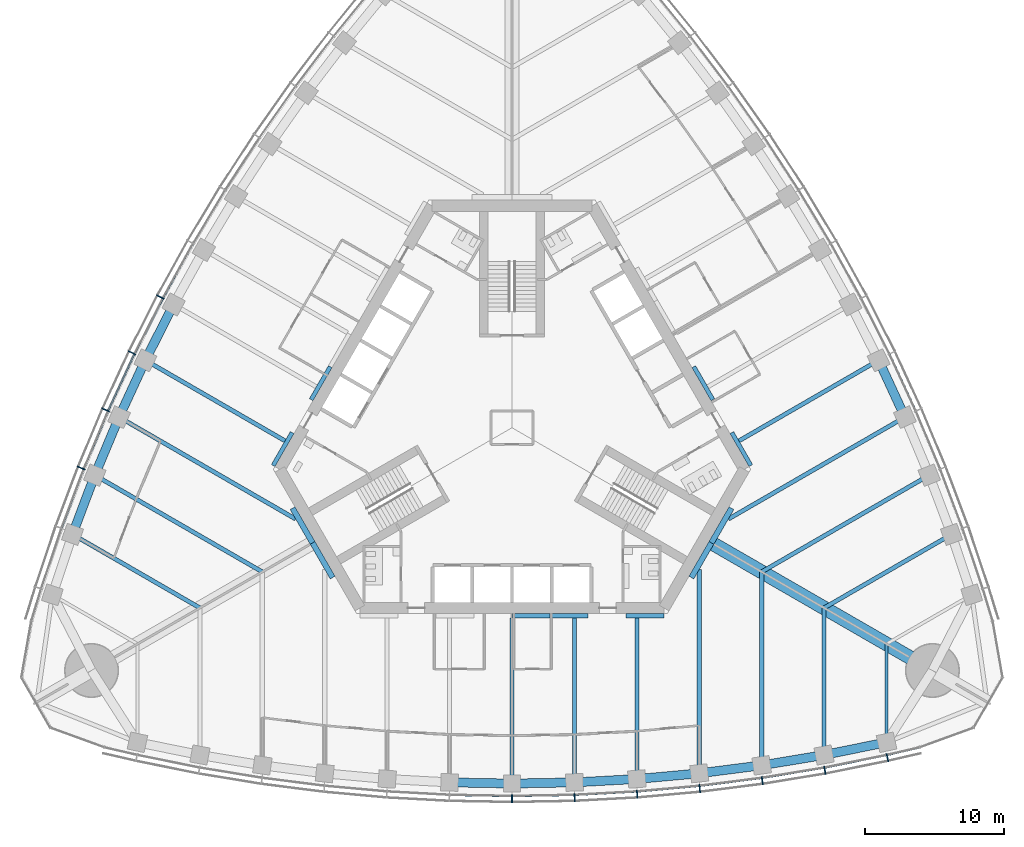
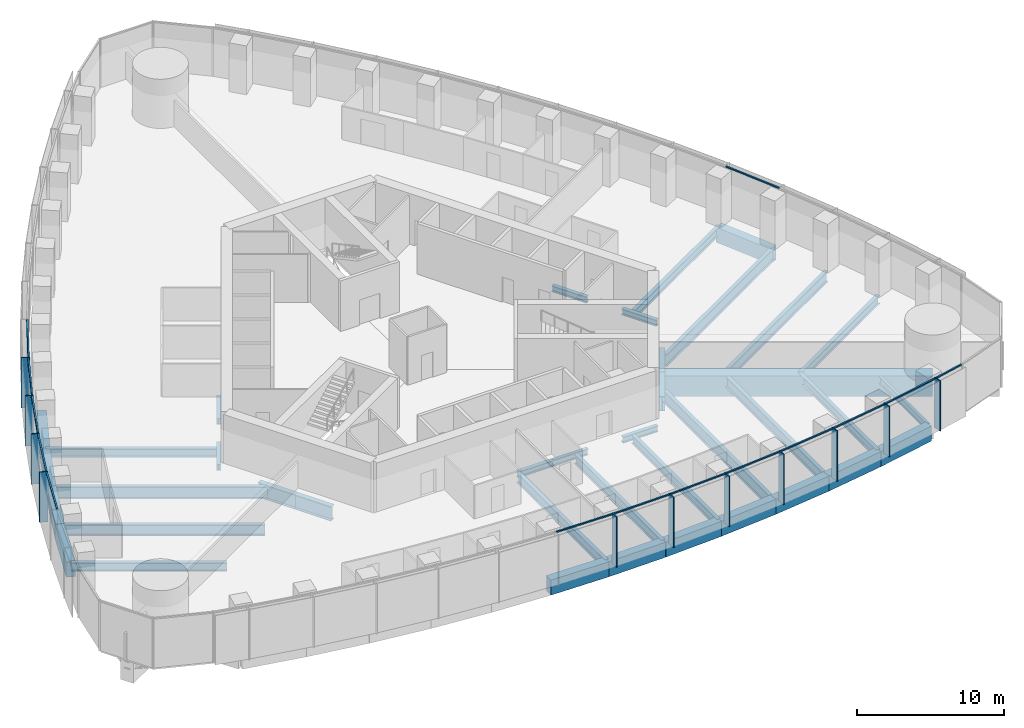
# One storey, part 3 of 19: 39 beams, 25 members, 3 elements without a shape of their own.
"""IFC4 building model written with IfcOpenShell, lengths in metres."""

from ifc_helpers import new_model, si_unit, direction, frame, origin, origin_2d, place, context, subcontext, project, spatial, rectangle, i_section, extrude, material, material_profile, profile_set, type_object, element, aggregate, save


model = new_model("IFC4")

# Units and contexts
model_context = context("Model", 3, precision=1e-05, world=origin(), true_north=direction((0.0, 1.0)))
body_context = subcontext(model_context, "Body", "Model", "MODEL_VIEW")
ifc_project = project(units=[si_unit("LENGTHUNIT", "METRE"), si_unit("AREAUNIT", "SQUARE_METRE"), si_unit("VOLUMEUNIT", "CUBIC_METRE"), si_unit("PLANEANGLEUNIT", "RADIAN"), si_unit("MASSUNIT", "GRAM", prefix="KILO")], contexts=[model_context])

# Site, building, storey
site_placement = place(None, origin())
site = spatial("IfcSite", under=ifc_project, at=site_placement, CompositionType="ELEMENT")
building_placement = place(site_placement, origin())
building = spatial("IfcBuilding", under=site, at=building_placement, Name="Trefoil Bronze Tower", CompositionType="ELEMENT")
storey_placement = place(building_placement, frame((0.0, 0.0, 140.89990234375)))
storey = spatial("IfcBuildingStorey", under=building, at=storey_placement, Name="L32", CompositionType="ELEMENT", Elevation=140.89990234375)

# Curtain wall, members
ifc_material_1 = material(Name="Tinted solar-control glass", Category="glass")
curtain_wall_type = type_object("IfcCurtainWallType", Name="Bronze office curtain wall", PredefinedType="USERDEFINED", material=ifc_material_1)
curtain_wall_1_placement = place(storey_placement, origin())
curtain_wall_1 = element("IfcCurtainWall", 1, at=curtain_wall_1_placement, inside=storey, type_object=curtain_wall_type, Name="CW-A L32 F1", ObjectType="CURTAIN WALL", PredefinedType="USERDEFINED")
ifc_material_2 = material(Name="Bronze-finish aluminium", Category="aluminium")
ifc_material_profile_1 = material_profile(ifc_material_2, rectangle(XDim=0.60009765625, YDim=0.080078125, at=origin_2d()), Name="CW-A mullion")
ifc_profile_set_1 = profile_set([ifc_material_profile_1], Name="Bronze-finish aluminium")
member_type_1 = type_object("IfcMemberType", Name="Bronze office curtain wall mullion", PredefinedType="MULLION", material=ifc_profile_set_1)
member_1_placement = place(storey_placement, frame((0.0, -26.749755859375, 0.0), z_axis=(0.0, 0.0, 1.0), x_axis=(0.0, 1.0, 0.0)))
member_1 = element("IfcMember", 2, at=member_1_placement, type_object=member_type_1, Name="CW-A L32 F1 mullion 8", PredefinedType="MULLION", context=body_context, shape_type="SweptSolid", body=[
    extrude(rectangle(XDim=0.60009765625, YDim=0.080078125, at=origin_2d()), origin(), (0.0, 0.0, 1.0), 4.18017578125),
])
member_2_placement = place(storey_placement, frame((4.5107421875, -26.66845703125, 0.0), z_axis=(0.0, 0.0, 1.0), x_axis=(-0.036047792107, 0.999350067136, 0.0)))
member_2 = element("IfcMember", 3, at=member_2_placement, type_object=member_type_1, Name="CW-A L32 F1 mullion 9", PredefinedType="MULLION", context=body_context, shape_type="SweptSolid", body=[
    extrude(rectangle(XDim=0.60009765625, YDim=0.080078125, at=origin_2d()), origin(), (0.0, 0.0, 1.0), 4.18017578125),
])
member_3_placement = place(storey_placement, frame((9.021728515625, -26.424072265625, 0.0), z_axis=(0.0, 0.0, 1.0), x_axis=(-0.072095676284, 0.997397720802, 0.0)))
member_3 = element("IfcMember", 4, at=member_3_placement, type_object=member_type_1, Name="CW-A L32 F1 mullion 10", PredefinedType="MULLION", context=body_context, shape_type="SweptSolid", body=[
    extrude(rectangle(XDim=0.60009765625, YDim=0.080078125, at=origin_2d()), origin(), (0.0, 0.0, 1.0), 4.18017578125),
])
member_4_placement = place(storey_placement, frame((13.532470703125, -26.01611328125, 0.0), z_axis=(0.0, 0.0, 1.0), x_axis=(-0.108143747013, 0.994135267447, 0.0)))
member_4 = element("IfcMember", 5, at=member_4_placement, type_object=member_type_1, Name="CW-A L32 F1 mullion 11", PredefinedType="MULLION", context=body_context, shape_type="SweptSolid", body=[
    extrude(rectangle(XDim=0.60009765625, YDim=0.080078125, at=origin_2d()), origin(), (0.0, 0.0, 1.0), 4.18017578125),
])
member_5_placement = place(storey_placement, frame((18.043212890625, -25.4423828125, 0.0), z_axis=(0.0, 0.0, 1.0), x_axis=(-0.144192103798, 0.989549714366, 0.0)))
member_5 = element("IfcMember", 6, at=member_5_placement, type_object=member_type_1, Name="CW-A L32 F1 mullion 12", PredefinedType="MULLION", context=body_context, shape_type="SweptSolid", body=[
    extrude(rectangle(XDim=0.60009765625, YDim=0.080078125, at=origin_2d()), origin(), (0.0, 0.0, 1.0), 4.18017578125),
])
member_6_placement = place(storey_placement, frame((22.553955078125, -24.700927734375, 0.0), z_axis=(0.0, 0.0, 1.0), x_axis=(-0.180240853954, 0.98362250613, 0.0)))
member_6 = element("IfcMember", 7, at=member_6_placement, type_object=member_type_1, Name="CW-A L32 F1 mullion 13", PredefinedType="MULLION", context=body_context, shape_type="SweptSolid", body=[
    extrude(rectangle(XDim=0.60009765625, YDim=0.080078125, at=origin_2d()), origin(), (0.0, 0.0, 1.0), 4.18017578125),
])
member_7_placement = place(storey_placement, frame((27.0634765625, -23.7890625, 0.0), z_axis=(0.0, 0.0, 1.0), x_axis=(-0.21197042503, 0.977276081214, 0.0)))
member_7 = element("IfcMember", 8, at=member_7_placement, type_object=member_type_1, Name="CW-A L32 F1 mullion 14", PredefinedType="MULLION", context=body_context, shape_type="SweptSolid", body=[
    extrude(rectangle(XDim=0.60009765625, YDim=0.080078125, at=origin_2d()), origin(), (0.0, 0.0, 1.0), 4.18017578125),
])

curtain_wall_2_placement = place(storey_placement, origin())
curtain_wall_2 = element("IfcCurtainWall", 9, at=curtain_wall_2_placement, inside=storey, type_object=curtain_wall_type, Name="CW-A L32 F3", ObjectType="CURTAIN WALL", PredefinedType="USERDEFINED")
member_8_placement = place(storey_placement, frame((-25.350830078125, 9.427734375, 0.0), z_axis=(0.0, 0.0, 1.0), x_axis=(0.883486441467, -0.468456729853, 0.0)))
member_8 = element("IfcMember", 10, at=member_8_placement, type_object=member_type_1, Name="CW-A L32 F3 mullion 9", PredefinedType="MULLION", context=body_context, shape_type="SweptSolid", body=[
    extrude(rectangle(XDim=0.60009765625, YDim=0.080078125, at=origin_2d()), origin(), (0.0, 0.0, 1.0), 4.18017578125),
])
member_9_placement = place(storey_placement, frame((-27.394775390625, 5.399169921875, 0.0), z_axis=(0.0, 0.0, 1.0), x_axis=(0.899819602033, -0.436262173236, 0.0)))
member_9 = element("IfcMember", 11, at=member_9_placement, type_object=member_type_1, Name="CW-A L32 F3 mullion 10", PredefinedType="MULLION", context=body_context, shape_type="SweptSolid", body=[
    extrude(rectangle(XDim=0.60009765625, YDim=0.080078125, at=origin_2d()), origin(), (0.0, 0.0, 1.0), 4.18017578125),
])
member_10_placement = place(storey_placement, frame((-29.296875, 1.28857421875, 0.0), z_axis=(0.0, 0.0, 1.0), x_axis=(0.915018269914, -0.40341240155, 0.0)))
member_10 = element("IfcMember", 12, at=member_10_placement, type_object=member_type_1, Name="CW-A L32 F3 mullion 11", PredefinedType="MULLION", context=body_context, shape_type="SweptSolid", body=[
    extrude(rectangle(XDim=0.60009765625, YDim=0.080078125, at=origin_2d()), origin(), (0.0, 0.0, 1.0), 4.18017578125),
])
member_11_placement = place(storey_placement, frame((-31.055419921875, -2.90478515625, 0.0), z_axis=(0.0, 0.0, 1.0), x_axis=(0.929071242848, -0.369900832269, 0.0)))
member_11 = element("IfcMember", 13, at=member_11_placement, type_object=member_type_1, Name="CW-A L32 F3 mullion 12", PredefinedType="MULLION", context=body_context, shape_type="SweptSolid", body=[
    extrude(rectangle(XDim=0.60009765625, YDim=0.080078125, at=origin_2d()), origin(), (0.0, 0.0, 1.0), 4.18017578125),
])

# Member
ifc_material_3 = material(Name="Bronze-finish aluminium", Category="aluminium")
ifc_material_profile_2 = material_profile(ifc_material_3, rectangle(XDim=0.1201171875, YDim=0.10009765625, at=origin_2d()), Name="CW-A transom")
ifc_profile_set_2 = profile_set([ifc_material_profile_2], Name="Bronze-finish aluminium")
member_type_2 = type_object("IfcMemberType", Name="Bronze office curtain wall transom", PredefinedType="USERDEFINED", material=ifc_profile_set_2)
member_12_placement = place(storey_placement, frame((-4.4619140625, -26.46923828125, 4.130126953125), z_axis=(0.999837930028, -0.018003157426, 0.0), x_axis=(0.018003157426, 0.999837930028, 0.0)))
member_12 = element("IfcMember", 14, at=member_12_placement, type_object=member_type_2, Name="CW-A L32 F1 transom 7", ObjectType="TRANSOM", PredefinedType="USERDEFINED", context=body_context, shape_type="SweptSolid", body=[
    extrude(rectangle(XDim=0.1201171875, YDim=0.10009765625, at=origin_2d()), origin(), (0.0, 0.0, 1.0), 4.4208984375),
])

member_13_placement = place(storey_placement, frame((0.041748046875, -26.548828125, 4.130126953125), z_axis=(0.999837930028, 0.018003157426, 0.0), x_axis=(-0.018003157426, 0.999837930028, 0.0)))
member_13 = element("IfcMember", 15, at=member_13_placement, type_object=member_type_2, Name="CW-A L32 F1 transom 8", ObjectType="TRANSOM", PredefinedType="USERDEFINED", context=body_context, shape_type="SweptSolid", body=[
    extrude(rectangle(XDim=0.1201171875, YDim=0.10009765625, at=origin_2d()), origin(), (0.0, 0.0, 1.0), 4.4208984375),
])

member_14_placement = place(storey_placement, frame((4.54541015625, -26.46630859375, 4.130126953125), z_axis=(0.998538253569, 0.054049571306, 0.0), x_axis=(-0.054049571306, 0.998538253569, 0.0)))
member_14 = element("IfcMember", 16, at=member_14_placement, type_object=member_type_2, Name="CW-A L32 F1 transom 9", ObjectType="TRANSOM", PredefinedType="USERDEFINED", context=body_context, shape_type="SweptSolid", body=[
    extrude(rectangle(XDim=0.1201171875, YDim=0.10009765625, at=origin_2d()), origin(), (0.0, 0.0, 1.0), 4.4267578125),
])

member_15_placement = place(storey_placement, frame((9.048828125, -26.220947265625, 4.130126953125), z_axis=(0.995932787062, 0.090099298863, 0.0), x_axis=(-0.090099298863, 0.995932787062, 0.0)))
member_15 = element("IfcMember", 17, at=member_15_placement, type_object=member_type_2, Name="CW-A L32 F1 transom 10", ObjectType="TRANSOM", PredefinedType="USERDEFINED", context=body_context, shape_type="SweptSolid", body=[
    extrude(rectangle(XDim=0.1201171875, YDim=0.10009765625, at=origin_2d()), origin(), (0.0, 0.0, 1.0), 4.4384765625),
])

member_16_placement = place(storey_placement, frame((13.55224609375, -25.81201171875, 4.130126953125), z_axis=(0.992008387848, 0.12617193998, 0.0), x_axis=(-0.12617193998, 0.992008387848, 0.0)))
member_16 = element("IfcMember", 18, at=member_16_placement, type_object=member_type_2, Name="CW-A L32 F1 transom 11", ObjectType="TRANSOM", PredefinedType="USERDEFINED", context=body_context, shape_type="SweptSolid", body=[
    extrude(rectangle(XDim=0.1201171875, YDim=0.10009765625, at=origin_2d()), origin(), (0.0, 0.0, 1.0), 4.456298828125),
])

member_17_placement = place(storey_placement, frame((18.0556640625, -25.23779296875, 4.130126953125), z_axis=(0.986755265284, 0.162216048636, 0.0), x_axis=(-0.162216048636, 0.986755265284, 0.0)))
member_17 = element("IfcMember", 19, at=member_17_placement, type_object=member_type_2, Name="CW-A L32 F1 transom 12", ObjectType="TRANSOM", PredefinedType="USERDEFINED", context=body_context, shape_type="SweptSolid", body=[
    extrude(rectangle(XDim=0.1201171875, YDim=0.10009765625, at=origin_2d()), origin(), (0.0, 0.0, 1.0), 4.48046875),
])

member_18_placement = place(storey_placement, frame((22.55908203125, -24.49609375, 4.130126953125), z_axis=(0.980153749225, 0.198238815273, 0.0), x_axis=(-0.198238815273, 0.980153749225, 0.0)))
member_18 = element("IfcMember", 20, at=member_18_placement, type_object=member_type_2, Name="CW-A L32 F1 transom 13", ObjectType="TRANSOM", PredefinedType="USERDEFINED", context=body_context, shape_type="SweptSolid", body=[
    extrude(rectangle(XDim=0.1201171875, YDim=0.10009765625, at=origin_2d()), origin(), (0.0, 0.0, 1.0), 4.51123046875),
])

member_19_placement = place(storey_placement, frame((27.0615234375, -23.584228515625, 4.130126953125), z_axis=(0.974206243495, 0.225659467196, 0.0), x_axis=(-0.225659467196, 0.974206243495, 0.0)))
member_19 = element("IfcMember", 21, at=member_19_placement, type_object=member_type_2, Name="CW-A L32 F1 transom 14", ObjectType="TRANSOM", PredefinedType="USERDEFINED", context=body_context, shape_type="SweptSolid", body=[
    extrude(rectangle(XDim=0.1201171875, YDim=0.10009765625, at=origin_2d()), origin(), (0.0, 0.0, 1.0), 2.340087890625),
])

aggregate(curtain_wall_1, [member_1, member_2, member_3, member_4, member_5, member_6, member_7, member_12, member_13, member_14, member_15, member_16, member_17, member_18, member_19])

# Curtain wall, member
curtain_wall_3_placement = place(storey_placement, origin())
curtain_wall_3 = element("IfcCurtainWall", 22, at=curtain_wall_3_placement, inside=storey, type_object=curtain_wall_type, Name="CW-A L32 F2", ObjectType="CURTAIN WALL", PredefinedType="USERDEFINED")
member_20_placement = place(storey_placement, frame((29.09619140625, 1.245849609375, 4.130126953125), z_axis=(-0.419923072198, 0.907559702409, 0.0), x_axis=(-0.907559702409, -0.419923072198, 0.0)))
member_20 = element("IfcMember", 23, at=member_20_placement, type_object=member_type_2, Name="CW-A L32 F2 transom 5", ObjectType="TRANSOM", PredefinedType="USERDEFINED", context=body_context, shape_type="SweptSolid", body=[
    extrude(rectangle(XDim=0.1201171875, YDim=0.10009765625, at=origin_2d()), origin(), (0.0, 0.0, 1.0), 4.4384765625),
])
aggregate(curtain_wall_3, [member_20])

# Member
member_21_placement = place(storey_placement, frame((-23.012939453125, 13.23828125, 4.130126953125), z_axis=(-0.484329470343, -0.874885686337, 0.0), x_axis=(0.874885686337, -0.484329470343, 0.0)))
member_21 = element("IfcMember", 24, at=member_21_placement, type_object=member_type_2, Name="CW-A L32 F3 transom 8", ObjectType="TRANSOM", PredefinedType="USERDEFINED", context=body_context, shape_type="SweptSolid", body=[
    extrude(rectangle(XDim=0.1201171875, YDim=0.10009765625, at=origin_2d()), origin(), (0.0, 0.0, 1.0), 4.4208984375),
])

member_22_placement = place(storey_placement, frame((-25.193115234375, 9.296630859375, 4.130126953125), z_axis=(-0.452478489814, -0.891775317138, 0.0), x_axis=(0.891775317138, -0.452478489814, 0.0)))
member_22 = element("IfcMember", 25, at=member_22_placement, type_object=member_type_2, Name="CW-A L32 F3 transom 9", ObjectType="TRANSOM", PredefinedType="USERDEFINED", context=body_context, shape_type="SweptSolid", body=[
    extrude(rectangle(XDim=0.1201171875, YDim=0.10009765625, at=origin_2d()), origin(), (0.0, 0.0, 1.0), 4.426513671875),
])

member_23_placement = place(storey_placement, frame((-27.232421875, 5.27392578125, 4.130126953125), z_axis=(-0.419923072198, -0.907559702409, 0.0), x_axis=(0.907559702409, -0.419923072198, 0.0)))
member_23 = element("IfcMember", 26, at=member_23_placement, type_object=member_type_2, Name="CW-A L32 F3 transom 10", ObjectType="TRANSOM", PredefinedType="USERDEFINED", context=body_context, shape_type="SweptSolid", body=[
    extrude(rectangle(XDim=0.1201171875, YDim=0.10009765625, at=origin_2d()), origin(), (0.0, 0.0, 1.0), 4.4384765625),
])

member_24_placement = place(storey_placement, frame((-29.1298828125, 1.16943359375, 4.130126953125), z_axis=(-0.386773266184, -0.922174842731, 0.0), x_axis=(0.922174842731, -0.386773266184, 0.0)))
member_24 = element("IfcMember", 27, at=member_24_placement, type_object=member_type_2, Name="CW-A L32 F3 transom 11", ObjectType="TRANSOM", PredefinedType="USERDEFINED", context=body_context, shape_type="SweptSolid", body=[
    extrude(rectangle(XDim=0.1201171875, YDim=0.10009765625, at=origin_2d()), origin(), (0.0, 0.0, 1.0), 4.45654296875),
])

member_25_placement = place(storey_placement, frame((-30.88427734375, -3.017822265625, 4.130126953125), z_axis=(-0.352932154759, -0.935648916067, 0.0), x_axis=(0.935648916067, -0.352932154759, 0.0)))
member_25 = element("IfcMember", 28, at=member_25_placement, type_object=member_type_2, Name="CW-A L32 F3 transom 12", ObjectType="TRANSOM", PredefinedType="USERDEFINED", context=body_context, shape_type="SweptSolid", body=[
    extrude(rectangle(XDim=0.1201171875, YDim=0.10009765625, at=origin_2d()), origin(), (0.0, 0.0, 1.0), 4.48046875),
])

aggregate(curtain_wall_2, [member_8, member_9, member_10, member_11, member_21, member_22, member_23, member_24, member_25])

# Beams
ifc_material_4 = material(Name="Steel C355", Category="steel")
ifc_material_profile_3 = material_profile(ifc_material_4, i_section(OverallWidth=0.300048828125, OverallDepth=0.5, WebThickness=0.014404296875, FlangeThickness=0.028076171875, FilletRadius=0.027099609375, at=origin_2d()), Name="HEB 500")
ifc_profile_set_3 = profile_set([ifc_material_profile_3], Name="Steel C355")
beam_type_1 = type_object("IfcBeamType", Name="Core seat beam HEB 500", PredefinedType="BEAM", material=ifc_profile_set_3)
for number, where, z_axis, x_axis, name in (
    (29, (0.0, -13.550048828125, -0.449951171875), (1.0, 0.0, 0.0), (0.0, 1.0, 0.0), "Core seat beam F1/+0 L32"),
    (30, (2.742431640625, -13.550048828125, -0.449951171875), (1.0, 0.0, 0.0), (0.0, 1.0, 0.0), "Core seat beam F1/+1 L32"),
    (31, (8.227294921875, -13.550048828125, -0.449951171875), (1.0, 0.0, 0.0), (0.0, 1.0, 0.0), "Core seat beam F1/+2 L32"),
    (32, (17.219482421875, -2.72509765625, -0.449951171875), (-0.500035825175, 0.866004719122, 0.0), (-0.866004719122, -0.500035825175, 0.0), "Core seat beam F2/-2 L32"),
    (33, (14.47705078125, 2.02490234375, -0.449951171875), (-0.499969057507, 0.866043267704, 0.0), (-0.866043267704, -0.499969057507, 0.0), "Core seat beam F2/-1 L32"),
    (34, (-13.10595703125, 4.39990234375, -0.449951171875), (-0.499969057507, -0.866043267704, 0.0), (0.866043267704, -0.499969057507, 0.0), "Core seat beam F3/+1 L32"),
    (35, (-15.84814453125, -0.35009765625, -0.449951171875), (-0.500035825175, -0.866004719122, 0.0), (0.866004719122, -0.500035825175, 0.0), "Core seat beam F3/+2 L32"),
):
    element("IfcBeam", number, at=place(storey_placement, frame(where, z_axis=z_axis, x_axis=x_axis)), inside=storey, type_object=beam_type_1, Name=name, PredefinedType="BEAM", context=body_context, shape_type="SweptSolid", body=[
        extrude(i_section(OverallWidth=0.300048828125, OverallDepth=0.5, WebThickness=0.014404296875, FlangeThickness=0.028076171875, FilletRadius=0.027099609375, at=origin_2d()), origin(), (0.0, 0.0, 1.0), 2.742431640625),
    ])
ifc_material_5 = material(Name="Steel C355", Category="steel")
ifc_material_profile_4 = material_profile(ifc_material_5, i_section(OverallWidth=0.39990234375, OverallDepth=1.199951171875, WebThickness=0.02001953125, FlangeThickness=0.0400390625, FilletRadius=0.010009765625, at=origin_2d()), Name="WPG 1200")
ifc_profile_set_4 = profile_set([ifc_material_profile_4], Name="Steel C355")
beam_type_2 = type_object("IfcBeamType", Name="Core seat beam WPG 1200", PredefinedType="BEAM", material=ifc_profile_set_4)
for number, where, z_axis, x_axis, name in (
    (36, (-14.3759765625, -8.300048828125, -0.7998046875), (0.499995765644, -0.866027848477, 0.0), (0.866027848477, 0.499995765644, 0.0), "Core seat beam F1/-3 L32"),
    (37, (12.9326171875, -10.800048828125, -0.7998046875), (0.499995765644, 0.866027848477, 0.0), (-0.866027848477, 0.499995765644, 0.0), "Core seat beam F1/+3 L32"),
    (38, (14.3759765625, -8.300048828125, -0.7998046875), (0.499995765644, 0.866027848477, 0.0), (-0.866027848477, 0.499995765644, 0.0), "Core seat beam F2/-3 L32"),
    (39, (-15.8193359375, -5.800048828125, -0.7998046875), (0.499995765644, -0.866027848477, 0.0), (0.866027848477, 0.499995765644, 0.0), "Core seat beam F3/+3 L32"),
):
    element("IfcBeam", number, at=place(storey_placement, frame(where, z_axis=z_axis, x_axis=x_axis)), inside=storey, type_object=beam_type_2, Name=name, PredefinedType="BEAM", context=body_context, shape_type="SweptSolid", body=[
        extrude(i_section(OverallWidth=0.39990234375, OverallDepth=1.199951171875, WebThickness=0.02001953125, FlangeThickness=0.0400390625, FilletRadius=0.010009765625, at=origin_2d()), origin(), (0.0, 0.0, 1.0), 2.88671875),
    ])
ifc_material_6 = material(Name="Concrete B80", Category="concrete")
ifc_material_profile_5 = material_profile(ifc_material_6, rectangle(XDim=1.0, YDim=1.699951171875, at=origin_2d()), Name="RC 1000x1700")
ifc_profile_set_5 = profile_set([ifc_material_profile_5], Name="Concrete B80")
beam_type_3 = type_object("IfcBeamType", Name="Corner girder RC 1000x1700", PredefinedType="BEAM", material=ifc_profile_set_5)
beam_1_placement = place(storey_placement, frame((14.202880859375, -8.199951171875, -1.0498046875), z_axis=(0.866022084834, -0.500005748546, 0.0), x_axis=(0.500005748546, 0.866022084834, 0.0)))
element("IfcBeam", 40, at=beam_1_placement, inside=storey, type_object=beam_type_3, Name="Corner girder K1 L32", PredefinedType="BEAM", context=body_context, shape_type="SweptSolid", body=[
    extrude(rectangle(XDim=1.0, YDim=1.699951171875, at=origin_2d()), origin(), (0.0, 0.0, 1.0), 18.599853515625),
])
ifc_material_7 = material(Name="Steel C355", Category="steel")
ifc_material_profile_6 = material_profile(ifc_material_7, i_section(OverallWidth=0.300048828125, OverallDepth=1.0, WebThickness=0.01904296875, FlangeThickness=0.035888671875, FilletRadius=0.030029296875, at=origin_2d()), Name="HEB 1000")
ifc_profile_set_6 = profile_set([ifc_material_profile_6], Name="Steel C355")
beam_type_4 = type_object("IfcBeamType", Name="Floor beam HEB 1000", PredefinedType="BEAM", material=ifc_profile_set_6)
for number, where, z_axis, x_axis, name in (
    (41, (13.5, -24.9130859375, -0.699951171875), (0.0, 1.0, 0.0), (-1.0, 0.0, 0.0), "Floor beam F1/+3 L32"),
    (42, (28.325439453125, 0.76513671875, -0.699951171875), (-0.866027342682, -0.499996641717, 0.0), (0.499996641717, -0.866027342682, 0.0), "Floor beam F2/-3 L32"),
    (43, (-28.325439453125, 0.76513671875, -0.699951171875), (0.866027342682, -0.499996641717, 0.0), (0.499996641717, 0.866027342682, 0.0), "Floor beam F3/+3 L32"),
):
    element("IfcBeam", number, at=place(storey_placement, frame(where, z_axis=z_axis, x_axis=x_axis)), inside=storey, type_object=beam_type_4, Name=name, PredefinedType="BEAM", context=body_context, shape_type="SweptSolid", body=[
        extrude(i_section(OverallWidth=0.300048828125, OverallDepth=1.0, WebThickness=0.01904296875, FlangeThickness=0.035888671875, FilletRadius=0.030029296875, at=origin_2d()), origin(), (0.0, 0.0, 1.0), 14.69580078125),
    ])
ifc_material_8 = material(Name="Steel C355", Category="steel")
ifc_material_profile_7 = material_profile(ifc_material_8, i_section(OverallWidth=0.300048828125, OverallDepth=0.699951171875, WebThickness=0.01708984375, FlangeThickness=0.031982421875, FilletRadius=0.027099609375, at=origin_2d()), Name="HEB 700")
ifc_profile_set_7 = profile_set([ifc_material_profile_7], Name="Steel C355")
beam_type_5 = type_object("IfcBeamType", Name="Floor beam HEB 700", PredefinedType="BEAM", material=ifc_profile_set_7)
beam_2_placement = place(storey_placement, frame((9.0, -25.32275390625, -0.5498046875), z_axis=(0.0, 1.0, 0.0), x_axis=(-1.0, 0.0, 0.0)))
element("IfcBeam", 44, at=beam_2_placement, inside=storey, type_object=beam_type_5, Name="Floor beam F1/+2 L32", PredefinedType="BEAM", context=body_context, shape_type="SweptSolid", body=[
    extrude(i_section(OverallWidth=0.300048828125, OverallDepth=0.699951171875, WebThickness=0.01708984375, FlangeThickness=0.031982421875, FilletRadius=0.027099609375, at=origin_2d()), origin(), (0.0, 0.0, 1.0), 11.622802734375),
])
beam_3_placement = place(storey_placement, frame((22.5, -23.592529296875, -0.5498046875), z_axis=(0.0, 1.0, 0.0), x_axis=(-1.0, 0.0, 0.0)))
element("IfcBeam", 45, at=beam_3_placement, inside=storey, type_object=beam_type_5, Name="Floor beam F1/+5 L32", PredefinedType="BEAM", context=body_context, shape_type="SweptSolid", body=[
    extrude(i_section(OverallWidth=0.300048828125, OverallDepth=0.699951171875, WebThickness=0.01708984375, FlangeThickness=0.031982421875, FilletRadius=0.027099609375, at=origin_2d()), origin(), (0.0, 0.0, 1.0), 10.60205078125),
])
beam_4_placement = place(storey_placement, frame((31.681884765625, -7.689208984375, -0.5498046875), z_axis=(-0.866021079084, -0.500007490527, 0.0), x_axis=(0.500007490527, -0.866021079084, 0.0)))
element("IfcBeam", 46, at=beam_4_placement, inside=storey, type_object=beam_type_5, Name="Floor beam F2/-5 L32", PredefinedType="BEAM", context=body_context, shape_type="SweptSolid", body=[
    extrude(i_section(OverallWidth=0.300048828125, OverallDepth=0.699951171875, WebThickness=0.01708984375, FlangeThickness=0.031982421875, FilletRadius=0.027099609375, at=origin_2d()), origin(), (0.0, 0.0, 1.0), 10.602294921875),
])
for number, where, z_axis, x_axis, name in (
    (47, (26.43017578125, 4.8671875, -0.5498046875), (-0.866021531335, -0.500006707218, 0.0), (0.500006707218, -0.866021531335, 0.0), "Floor beam F2/-2 L32"),
    (48, (-26.43017578125, 4.8671875, -0.5498046875), (0.866021531335, -0.500006707218, 0.0), (0.500006707218, 0.866021531335, 0.0), "Floor beam F3/+2 L32"),
):
    element("IfcBeam", number, at=place(storey_placement, frame(where, z_axis=z_axis, x_axis=x_axis)), inside=storey, type_object=beam_type_5, Name=name, PredefinedType="BEAM", context=body_context, shape_type="SweptSolid", body=[
        extrude(i_section(OverallWidth=0.300048828125, OverallDepth=0.699951171875, WebThickness=0.01708984375, FlangeThickness=0.031982421875, FilletRadius=0.027099609375, at=origin_2d()), origin(), (0.0, 0.0, 1.0), 11.622802734375),
    ])
beam_5_placement = place(storey_placement, frame((-31.681884765625, -7.689208984375, -0.5498046875), z_axis=(0.866021079084, -0.500007490527, 0.0), x_axis=(0.500007490527, 0.866021079084, 0.0)))
element("IfcBeam", 49, at=beam_5_placement, inside=storey, type_object=beam_type_5, Name="Floor beam F3/+5 L32", PredefinedType="BEAM", context=body_context, shape_type="SweptSolid", body=[
    extrude(i_section(OverallWidth=0.300048828125, OverallDepth=0.699951171875, WebThickness=0.01708984375, FlangeThickness=0.031982421875, FilletRadius=0.027099609375, at=origin_2d()), origin(), (0.0, 0.0, 1.0), 10.602294921875),
])
ifc_material_9 = material(Name="Steel C355", Category="steel")
ifc_material_profile_8 = material_profile(ifc_material_9, i_section(OverallWidth=0.300048828125, OverallDepth=0.800048828125, WebThickness=0.017578125, FlangeThickness=0.032958984375, FilletRadius=0.030029296875, at=origin_2d()), Name="HEB 800")
ifc_profile_set_8 = profile_set([ifc_material_profile_8], Name="Steel C355")
beam_type_6 = type_object("IfcBeamType", Name="Floor beam HEB 800", PredefinedType="BEAM", material=ifc_profile_set_8)
beam_6_placement = place(storey_placement, frame((0.0, -25.649658203125, -0.599853515625), z_axis=(0.0, 1.0, 0.0), x_axis=(-1.0, 0.0, 0.0)))
element("IfcBeam", 50, at=beam_6_placement, inside=storey, type_object=beam_type_6, Name="Floor beam F1/+0 L32", PredefinedType="BEAM", context=body_context, shape_type="SweptSolid", body=[
    extrude(i_section(OverallWidth=0.300048828125, OverallDepth=0.800048828125, WebThickness=0.017578125, FlangeThickness=0.032958984375, FilletRadius=0.030029296875, at=origin_2d()), origin(), (0.0, 0.0, 1.0), 11.94970703125),
])
beam_7_placement = place(storey_placement, frame((4.5, -25.568115234375, -0.599853515625), z_axis=(0.0, 1.0, 0.0), x_axis=(-1.0, 0.0, 0.0)))
element("IfcBeam", 51, at=beam_7_placement, inside=storey, type_object=beam_type_6, Name="Floor beam F1/+1 L32", PredefinedType="BEAM", context=body_context, shape_type="SweptSolid", body=[
    extrude(i_section(OverallWidth=0.300048828125, OverallDepth=0.800048828125, WebThickness=0.017578125, FlangeThickness=0.032958984375, FilletRadius=0.030029296875, at=origin_2d()), origin(), (0.0, 0.0, 1.0), 11.8681640625),
])
ifc_material_10 = material(Name="Steel C355", Category="steel")
ifc_material_profile_9 = material_profile(ifc_material_10, i_section(OverallWidth=0.300048828125, OverallDepth=0.89990234375, WebThickness=0.0185546875, FlangeThickness=0.034912109375, FilletRadius=0.030029296875, at=origin_2d()), Name="HEB 900")
ifc_profile_set_9 = profile_set([ifc_material_profile_9], Name="Steel C355")
beam_type_7 = type_object("IfcBeamType", Name="Floor beam HEB 900", PredefinedType="BEAM", material=ifc_profile_set_9)
for number, where, z_axis, x_axis, name in (
    (52, (18.0, -24.337158203125, -0.64990234375), (0.0, 1.0, 0.0), (-1.0, 0.0, 0.0), "Floor beam F1/+4 L32"),
    (53, (30.07666015625, -3.419921875, -0.64990234375), (-0.866026983775, -0.499997263366, 0.0), (0.499997263366, -0.866026983775, 0.0), "Floor beam F2/-4 L32"),
    (54, (-30.07666015625, -3.419921875, -0.64990234375), (0.866026983775, -0.499997263366, 0.0), (0.499997263366, 0.866026983775, 0.0), "Floor beam F3/+4 L32"),
):
    element("IfcBeam", number, at=place(storey_placement, frame(where, z_axis=z_axis, x_axis=x_axis)), inside=storey, type_object=beam_type_7, Name=name, PredefinedType="BEAM", context=body_context, shape_type="SweptSolid", body=[
        extrude(i_section(OverallWidth=0.300048828125, OverallDepth=0.89990234375, WebThickness=0.0185546875, FlangeThickness=0.034912109375, FilletRadius=0.030029296875, at=origin_2d()), origin(), (0.0, 0.0, 1.0), 13.94482421875),
    ])
ifc_material_11 = material(Name="Steel C355", Category="steel")
ifc_material_profile_10 = material_profile(ifc_material_11, i_section(OverallWidth=0.219970703125, OverallDepth=0.60009765625, WebThickness=0.011962890625, FlangeThickness=0.01904296875, FilletRadius=0.02392578125, at=origin_2d()), Name="IPE 600")
ifc_profile_set_10 = profile_set([ifc_material_profile_10], Name="Steel C355")
beam_type_8 = type_object("IfcBeamType", Name="Floor beam IPE 600", PredefinedType="BEAM", material=ifc_profile_set_10)
beam_8_placement = place(storey_placement, frame((27.0, -22.67724609375, -0.5), z_axis=(0.0, 1.0, 0.0), x_axis=(-1.0, 0.0, 0.0)))
element("IfcBeam", 55, at=beam_8_placement, inside=storey, type_object=beam_type_8, Name="Floor beam F1/+6 L32", PredefinedType="BEAM", context=body_context, shape_type="SweptSolid", body=[
    extrude(i_section(OverallWidth=0.219970703125, OverallDepth=0.60009765625, WebThickness=0.011962890625, FlangeThickness=0.01904296875, FilletRadius=0.02392578125, at=origin_2d()), origin(), (0.0, 0.0, 1.0), 7.0888671875),
])
ifc_material_12 = material(Name="Concrete B80", Category="concrete")
ifc_material_profile_11 = material_profile(ifc_material_12, rectangle(XDim=0.64990234375, YDim=1.25, at=origin_2d()), Name="RC 650x1250")
ifc_profile_set_11 = profile_set([ifc_material_profile_11], Name="Concrete B80")
beam_type_9 = type_object("IfcBeamType", Name="Spandrel beam RC 650x1250", PredefinedType="SPANDREL", material=ifc_profile_set_11)
for number, where, z_axis, x_axis, name in (
    (56, (-4.5, -25.568115234375, -0.824951171875), (0.999835861267, -0.01811768542, 0.0), (0.01811768542, 0.999835861267, 0.0), "Spandrel F1.7 L32"),
    (57, (0.0, -25.649658203125, -0.824951171875), (0.999835861267, 0.01811768542, 0.0), (-0.01811768542, 0.999835861267, 0.0), "Spandrel F1.8 L32"),
):
    element("IfcBeam", number, at=place(storey_placement, frame(where, z_axis=z_axis, x_axis=x_axis)), inside=storey, type_object=beam_type_9, Name=name, PredefinedType="SPANDREL", context=body_context, shape_type="SweptSolid", body=[
        extrude(rectangle(XDim=0.64990234375, YDim=1.25, at=origin_2d()), origin(), (0.0, 0.0, 1.0), 4.500732421875),
    ])
beam_9_placement = place(storey_placement, frame((4.5, -25.568115234375, -0.824951171875), z_axis=(0.998516832602, 0.054443870267, 0.0), x_axis=(-0.054443870267, 0.998516832602, 0.0)))
element("IfcBeam", 58, at=beam_9_placement, inside=storey, type_object=beam_type_9, Name="Spandrel F1.9 L32", PredefinedType="SPANDREL", context=body_context, shape_type="SweptSolid", body=[
    extrude(rectangle(XDim=0.64990234375, YDim=1.25, at=origin_2d()), origin(), (0.0, 0.0, 1.0), 4.506591796875),
])
beam_10_placement = place(storey_placement, frame((9.0, -25.32275390625, -0.824951171875), z_axis=(0.995881683815, 0.090662405894, 0.0), x_axis=(-0.090662405894, 0.995881683815, 0.0)))
element("IfcBeam", 59, at=beam_10_placement, inside=storey, type_object=beam_type_9, Name="Spandrel F1.10 L32", PredefinedType="SPANDREL", context=body_context, shape_type="SweptSolid", body=[
    extrude(rectangle(XDim=0.64990234375, YDim=1.25, at=origin_2d()), origin(), (0.0, 0.0, 1.0), 4.5185546875),
])
beam_11_placement = place(storey_placement, frame((13.5, -24.9130859375, -0.824951171875), z_axis=(0.991909314257, 0.126948463126, 0.0), x_axis=(-0.126948463126, 0.991909314257, 0.0)))
element("IfcBeam", 60, at=beam_11_placement, inside=storey, type_object=beam_type_9, Name="Spandrel F1.11 L32", PredefinedType="SPANDREL", context=body_context, shape_type="SweptSolid", body=[
    extrude(rectangle(XDim=0.64990234375, YDim=1.25, at=origin_2d()), origin(), (0.0, 0.0, 1.0), 4.53662109375),
])
beam_12_placement = place(storey_placement, frame((18.0, -24.337158203125, -0.824951171875), z_axis=(0.986584214684, 0.163253138823, 0.0), x_axis=(-0.163253138823, 0.986584214684, 0.0)))
element("IfcBeam", 61, at=beam_12_placement, inside=storey, type_object=beam_type_9, Name="Spandrel F1.12 L32", PredefinedType="SPANDREL", context=body_context, shape_type="SweptSolid", body=[
    extrude(rectangle(XDim=0.64990234375, YDim=1.25, at=origin_2d()), origin(), (0.0, 0.0, 1.0), 4.561279296875),
])
beam_13_placement = place(storey_placement, frame((22.5, -23.592529296875, -0.824951171875), z_axis=(0.979935430296, 0.199315208777, 0.0), x_axis=(-0.199315208777, 0.979935430296, 0.0)))
element("IfcBeam", 62, at=beam_13_placement, inside=storey, type_object=beam_type_9, Name="Spandrel F1.13 L32", PredefinedType="SPANDREL", context=body_context, shape_type="SweptSolid", body=[
    extrude(rectangle(XDim=0.64990234375, YDim=1.25, at=origin_2d()), origin(), (0.0, 0.0, 1.0), 4.592041015625),
])
beam_14_placement = place(storey_placement, frame((28.325439453125, 0.76513671875, -0.824951171875), z_axis=(-0.419424747755, 0.907790108434, 0.0), x_axis=(-0.907790108434, -0.419424747755, 0.0)))
element("IfcBeam", 63, at=beam_14_placement, inside=storey, type_object=beam_type_9, Name="Spandrel F2.5 L32", PredefinedType="SPANDREL", context=body_context, shape_type="SweptSolid", body=[
    extrude(rectangle(XDim=0.64990234375, YDim=1.25, at=origin_2d()), origin(), (0.0, 0.0, 1.0), 4.518798828125),
])
beam_15_placement = place(storey_placement, frame((-24.392578125, 8.886962890625, -0.824951171875), z_axis=(-0.452125717735, -0.891954222683, 0.0), x_axis=(0.891954222683, -0.452125717735, 0.0)))
element("IfcBeam", 64, at=beam_15_placement, inside=storey, type_object=beam_type_9, Name="Spandrel F3.9 L32", PredefinedType="SPANDREL", context=body_context, shape_type="SweptSolid", body=[
    extrude(rectangle(XDim=0.64990234375, YDim=1.25, at=origin_2d()), origin(), (0.0, 0.0, 1.0), 4.506591796875),
])
beam_16_placement = place(storey_placement, frame((-26.43017578125, 4.8671875, -0.824951171875), z_axis=(-0.419424747755, -0.907790108434, 0.0), x_axis=(0.907790108434, -0.419424747755, 0.0)))
element("IfcBeam", 65, at=beam_16_placement, inside=storey, type_object=beam_type_9, Name="Spandrel F3.10 L32", PredefinedType="SPANDREL", context=body_context, shape_type="SweptSolid", body=[
    extrude(rectangle(XDim=0.64990234375, YDim=1.25, at=origin_2d()), origin(), (0.0, 0.0, 1.0), 4.518798828125),
])
beam_17_placement = place(storey_placement, frame((-28.325439453125, 0.76513671875, -0.824951171875), z_axis=(-0.386013490858, -0.922493135408, 0.0), x_axis=(0.922493135408, -0.386013490858, 0.0)))
element("IfcBeam", 66, at=beam_17_placement, inside=storey, type_object=beam_type_9, Name="Spandrel F3.11 L32", PredefinedType="SPANDREL", context=body_context, shape_type="SweptSolid", body=[
    extrude(rectangle(XDim=0.64990234375, YDim=1.25, at=origin_2d()), origin(), (0.0, 0.0, 1.0), 4.53662109375),
])
beam_18_placement = place(storey_placement, frame((-30.07666015625, -3.419921875, -0.824951171875), z_axis=(-0.351938675523, -0.936023059904, 0.0), x_axis=(0.936023059904, -0.351938675523, 0.0)))
element("IfcBeam", 67, at=beam_18_placement, inside=storey, type_object=beam_type_9, Name="Spandrel F3.12 L32", PredefinedType="SPANDREL", context=body_context, shape_type="SweptSolid", body=[
    extrude(rectangle(XDim=0.64990234375, YDim=1.25, at=origin_2d()), origin(), (0.0, 0.0, 1.0), 4.56103515625),
])

save(model, "model.ifc")
